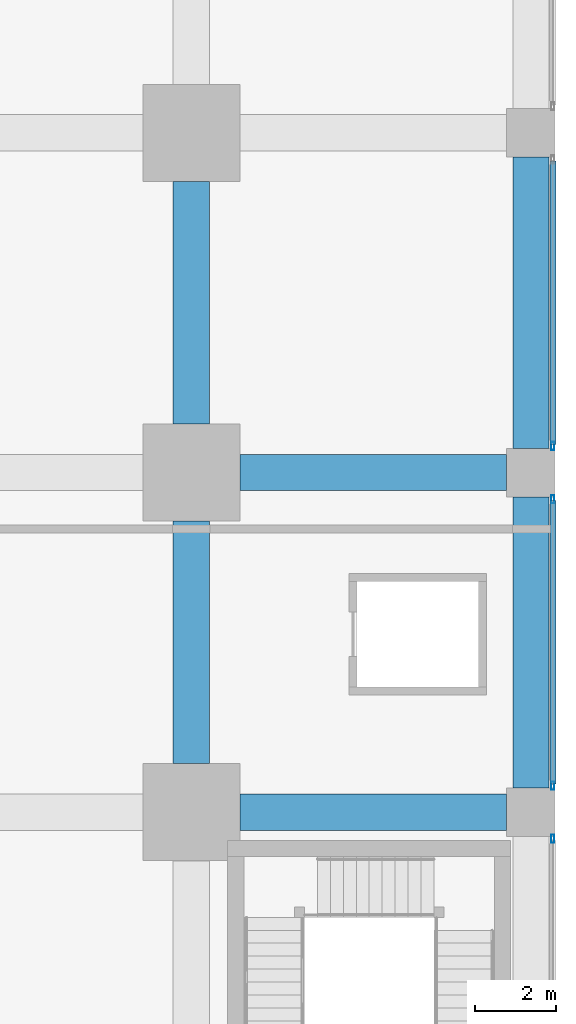
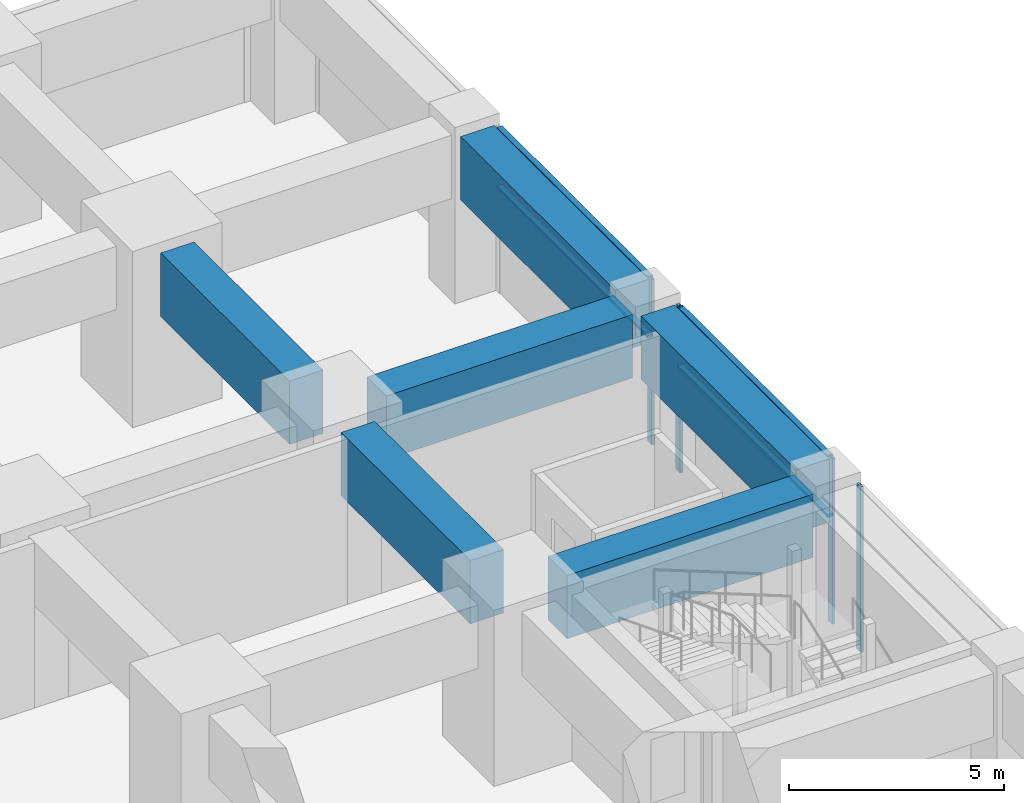
# One storey, part 32 of 48: 8 members, 6 beams, 3 elements without a shape of their own.
"""IFC4 building model written with IfcOpenShell, lengths in metres."""

from ifc_helpers import new_model, si_unit, direction, frame, origin, origin_2d, place, context, subcontext, project, spatial, rectangle, hollow_rectangle, extrude, material, material_profile, profile_set, type_object, element, aggregate, save


model = new_model("IFC4")

# Units and contexts
model_context = context("Model", 3, precision=1e-05, world=origin(), true_north=direction((0.0, 1.0)))
body_context = subcontext(model_context, "Body", "Model", "MODEL_VIEW")
ifc_project = project(units=[si_unit("LENGTHUNIT", "METRE"), si_unit("AREAUNIT", "SQUARE_METRE"), si_unit("VOLUMEUNIT", "CUBIC_METRE"), si_unit("PLANEANGLEUNIT", "RADIAN"), si_unit("MASSUNIT", "GRAM", prefix="KILO")], contexts=[model_context])

# Site, building, storey
site_placement = place(None, origin())
site = spatial("IfcSite", under=ifc_project, at=site_placement, CompositionType="ELEMENT")
building_placement = place(site_placement, origin())
building = spatial("IfcBuilding", under=site, at=building_placement, Name="Rekha Terrace Tower", CompositionType="ELEMENT")
storey_placement = place(building_placement, frame((0.0, 0.0, 15.39990234375)))
storey = spatial("IfcBuildingStorey", under=building, at=storey_placement, Name="L03", CompositionType="ELEMENT", Elevation=15.39990234375)

# Curtain wall, member
ifc_material_1 = material(Name="Aluminium framing", Category="aluminium")
curtain_wall_type = type_object("IfcCurtainWallType", Name="CW4 podium shopfront glazing", PredefinedType="USERDEFINED", material=ifc_material_1)
curtain_wall_1_placement = place(storey_placement, origin())
curtain_wall_1 = element("IfcCurtainWall", 1, at=curtain_wall_1_placement, inside=storey, type_object=curtain_wall_type, Name="CW4 shopfront curtain wall", ObjectType="SHOPFRONT CURTAIN WALL", PredefinedType="USERDEFINED")
ifc_material_2 = material(Name="Aluminium mullion section", Category="aluminium")
ifc_material_profile_1 = material_profile(ifc_material_2, hollow_rectangle(XDim=0.074951171875, YDim=0.199951171875, WallThickness=0.00390625, at=origin_2d()), Name="AL RHS 75x200")
ifc_profile_set_1 = profile_set([ifc_material_profile_1], Name="Aluminium mullion section")
member_type_1 = type_object("IfcMemberType", Name="CW4 mullion RHS 75 x 200", PredefinedType="MULLION", material=ifc_profile_set_1)
member_1_placement = place(storey_placement, frame((76.139892578125, 32.9423828125, 0.0), z_axis=(0.0, 0.0, 1.0), x_axis=(-1.0, 0.0, 0.0)))
member_1 = element("IfcMember", 2, at=member_1_placement, type_object=member_type_1, Name="CW4 mullion 2", PredefinedType="MULLION", context=body_context, shape_type="SweptSolid", body=[
    extrude(hollow_rectangle(XDim=0.074951171875, YDim=0.199951171875, WallThickness=0.00390625, at=origin_2d()), origin(), (0.0, 0.0, 1.0), 4.7001953125),
])
aggregate(curtain_wall_1, [member_1])

# Curtain wall, members
curtain_wall_2_placement = place(storey_placement, origin())
curtain_wall_2 = element("IfcCurtainWall", 3, at=curtain_wall_2_placement, inside=storey, type_object=curtain_wall_type, Name="CW4 shopfront curtain wall", ObjectType="SHOPFRONT CURTAIN WALL", PredefinedType="USERDEFINED")
member_2_placement = place(storey_placement, frame((76.139892578125, 34.257568359375, 0.0), z_axis=(0.0, 0.0, 1.0), x_axis=(-1.0, 0.0, 0.0)))
member_2 = element("IfcMember", 4, at=member_2_placement, type_object=member_type_1, Name="CW4 mullion 1", PredefinedType="MULLION", context=body_context, shape_type="SweptSolid", body=[
    extrude(hollow_rectangle(XDim=0.074951171875, YDim=0.199951171875, WallThickness=0.00390625, at=origin_2d()), origin(), (0.0, 0.0, 1.0), 4.7001953125),
])
member_3_placement = place(storey_placement, frame((76.139892578125, 41.342529296875, 0.0), z_axis=(0.0, 0.0, 1.0), x_axis=(-1.0, 0.0, 0.0)))
member_3 = element("IfcMember", 5, at=member_3_placement, type_object=member_type_1, Name="CW4 mullion 2", PredefinedType="MULLION", context=body_context, shape_type="SweptSolid", body=[
    extrude(hollow_rectangle(XDim=0.074951171875, YDim=0.199951171875, WallThickness=0.00390625, at=origin_2d()), origin(), (0.0, 0.0, 1.0), 4.7001953125),
])

# Curtain wall, member
curtain_wall_3_placement = place(storey_placement, origin())
curtain_wall_3 = element("IfcCurtainWall", 6, at=curtain_wall_3_placement, inside=storey, type_object=curtain_wall_type, Name="CW4 shopfront curtain wall", ObjectType="SHOPFRONT CURTAIN WALL", PredefinedType="USERDEFINED")
member_4_placement = place(storey_placement, frame((76.139892578125, 42.657470703125, 0.0), z_axis=(0.0, 0.0, 1.0), x_axis=(-1.0, 0.0, 0.0)))
member_4 = element("IfcMember", 7, at=member_4_placement, type_object=member_type_1, Name="CW4 mullion 1", PredefinedType="MULLION", context=body_context, shape_type="SweptSolid", body=[
    extrude(hollow_rectangle(XDim=0.074951171875, YDim=0.199951171875, WallThickness=0.00390625, at=origin_2d()), origin(), (0.0, 0.0, 1.0), 4.7001953125),
])

# Member
ifc_material_3 = material(Name="Aluminium transom section", Category="aluminium")
ifc_material_profile_2 = material_profile(ifc_material_3, hollow_rectangle(XDim=0.14990234375, YDim=0.074951171875, WallThickness=0.0029296875, at=origin_2d()), Name="AL RHS 150x75")
ifc_profile_set_2 = profile_set([ifc_material_profile_2], Name="Aluminium transom section")
member_type_2 = type_object("IfcMemberType", Name="CW4 transom RHS 75 x 150", PredefinedType="USERDEFINED", material=ifc_profile_set_2)
member_5_placement = place(storey_placement, frame((76.139892578125, 34.294921875, 3.0), z_axis=(0.0, 1.0, 0.0), x_axis=(-1.0, 0.0, 0.0)))
member_5 = element("IfcMember", 8, at=member_5_placement, type_object=member_type_2, Name="CW4 transom 1.2", ObjectType="TRANSOM", PredefinedType="USERDEFINED", context=body_context, shape_type="SweptSolid", body=[
    extrude(hollow_rectangle(XDim=0.14990234375, YDim=0.074951171875, WallThickness=0.0029296875, at=origin_2d()), origin(), (0.0, 0.0, 1.0), 7.010009765625),
])

member_6_placement = place(storey_placement, frame((76.139892578125, 34.294921875, 4.66259765625), z_axis=(0.0, 1.0, 0.0), x_axis=(-1.0, 0.0, 0.0)))
member_6 = element("IfcMember", 9, at=member_6_placement, type_object=member_type_2, Name="CW4 transom 1.3", ObjectType="TRANSOM", PredefinedType="USERDEFINED", context=body_context, shape_type="SweptSolid", body=[
    extrude(hollow_rectangle(XDim=0.14990234375, YDim=0.074951171875, WallThickness=0.0029296875, at=origin_2d()), origin(), (0.0, 0.0, 1.0), 7.010009765625),
])

aggregate(curtain_wall_2, [member_2, member_3, member_5, member_6])

member_7_placement = place(storey_placement, frame((76.139892578125, 42.695068359375, 3.0), z_axis=(0.0, 1.0, 0.0), x_axis=(-1.0, 0.0, 0.0)))
member_7 = element("IfcMember", 10, at=member_7_placement, type_object=member_type_2, Name="CW4 transom 1.2", ObjectType="TRANSOM", PredefinedType="USERDEFINED", context=body_context, shape_type="SweptSolid", body=[
    extrude(hollow_rectangle(XDim=0.14990234375, YDim=0.074951171875, WallThickness=0.0029296875, at=origin_2d()), origin(), (0.0, 0.0, 1.0), 7.010009765625),
])

member_8_placement = place(storey_placement, frame((76.139892578125, 42.695068359375, 4.66259765625), z_axis=(0.0, 1.0, 0.0), x_axis=(-1.0, 0.0, 0.0)))
member_8 = element("IfcMember", 11, at=member_8_placement, type_object=member_type_2, Name="CW4 transom 1.3", ObjectType="TRANSOM", PredefinedType="USERDEFINED", context=body_context, shape_type="SweptSolid", body=[
    extrude(hollow_rectangle(XDim=0.14990234375, YDim=0.074951171875, WallThickness=0.0029296875, at=origin_2d()), origin(), (0.0, 0.0, 1.0), 7.010009765625),
])

aggregate(curtain_wall_3, [member_4, member_7, member_8])

# Beams
ifc_material_4 = material(Name="Concrete M60", Category="concrete")
ifc_material_profile_3 = material_profile(ifc_material_4, rectangle(XDim=0.89990234375, YDim=1.800048828125, at=origin_2d()), Name="RC 900x1800")
ifc_profile_set_3 = profile_set([ifc_material_profile_3], Name="Concrete M60")
beam_type = type_object("IfcBeamType", Name="G1 900x1800 podium floor beam", PredefinedType="BEAM", material=ifc_profile_set_3)
beam_1_placement = place(storey_placement, frame((68.39990234375, 33.60009765625, 3.800048828125), z_axis=(1.0, 0.0, 0.0), x_axis=(0.0, 1.0, 0.0)))
element("IfcBeam", 12, at=beam_1_placement, inside=storey, type_object=beam_type, Name="Beam G1 9E-10E under L04", PredefinedType="BEAM", context=body_context, shape_type="SweptSolid", body=[
    extrude(rectangle(XDim=0.89990234375, YDim=1.800048828125, at=origin_2d()), origin(), (0.0, 0.0, 1.0), 6.60009765625),
])
beam_2_placement = place(storey_placement, frame((67.199951171875, 34.800048828125, 3.800048828125), z_axis=(0.0, 1.0, 0.0), x_axis=(-1.0, 0.0, 0.0)))
element("IfcBeam", 13, at=beam_2_placement, inside=storey, type_object=beam_type, Name="Beam G1 9E-9F under L04", PredefinedType="BEAM", context=body_context, shape_type="SweptSolid", body=[
    extrude(rectangle(XDim=0.89990234375, YDim=1.800048828125, at=origin_2d()), origin(), (0.0, 0.0, 1.0), 6.0),
])
beam_3_placement = place(storey_placement, frame((68.39990234375, 42.0, 3.800048828125), z_axis=(1.0, 0.0, 0.0), x_axis=(0.0, 1.0, 0.0)))
element("IfcBeam", 14, at=beam_3_placement, inside=storey, type_object=beam_type, Name="Beam G1 9F-10F under L04", PredefinedType="BEAM", context=body_context, shape_type="SweptSolid", body=[
    extrude(rectangle(XDim=0.89990234375, YDim=1.800048828125, at=origin_2d()), origin(), (0.0, 0.0, 1.0), 6.60009765625),
])
beam_4_placement = place(storey_placement, frame((67.199951171875, 43.199951171875, 3.800048828125), z_axis=(0.0, 1.0, 0.0), x_axis=(-1.0, 0.0, 0.0)))
element("IfcBeam", 15, at=beam_4_placement, inside=storey, type_object=beam_type, Name="Beam G1 9F-9G under L04", PredefinedType="BEAM", context=body_context, shape_type="SweptSolid", body=[
    extrude(rectangle(XDim=0.89990234375, YDim=1.800048828125, at=origin_2d()), origin(), (0.0, 0.0, 1.0), 6.0),
])
for number, where, z_axis, x_axis, name in (
    (16, (75.60009765625, 34.199951171875, 3.800048828125), (0.0, 1.0, 0.0), (-1.0, 0.0, 0.0), "Beam G1 10E-10F under L04"),
    (17, (75.60009765625, 42.60009765625, 3.800048828125), (0.0, 1.0, 0.0), (-1.0, 0.0, 0.0), "Beam G1 10F-10G under L04"),
):
    element("IfcBeam", number, at=place(storey_placement, frame(where, z_axis=z_axis, x_axis=x_axis)), inside=storey, type_object=beam_type, Name=name, PredefinedType="BEAM", context=body_context, shape_type="SweptSolid", body=[
        extrude(rectangle(XDim=0.89990234375, YDim=1.800048828125, at=origin_2d()), origin(), (0.0, 0.0, 1.0), 7.199951171875),
    ])

save(model, "model.ifc")
